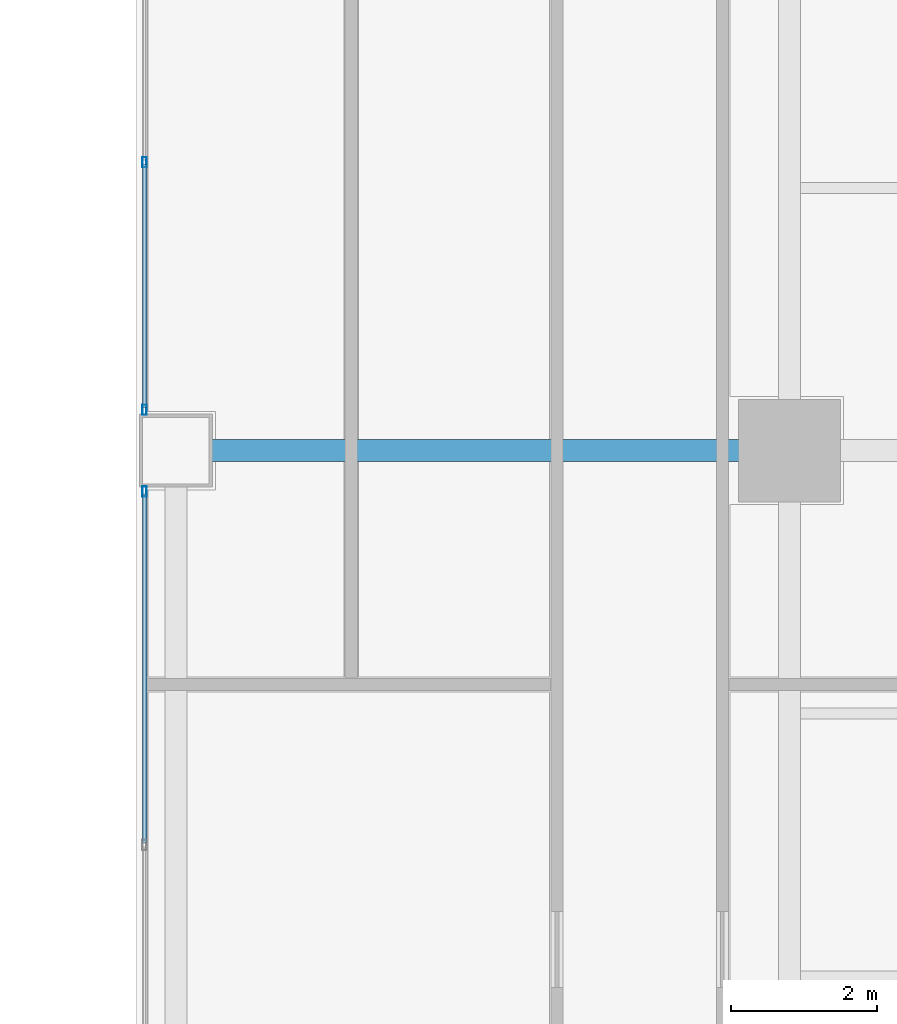
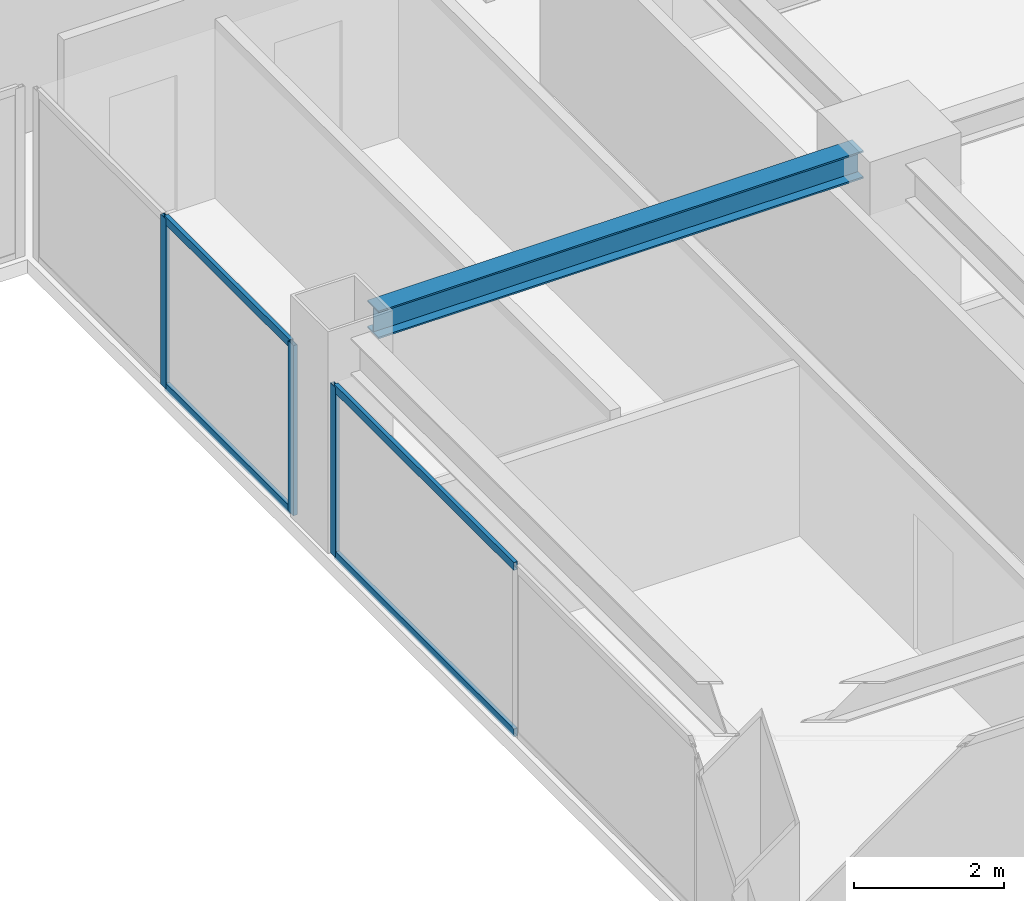
# One storey, part 14 of 29: 7 members, 1 beam, 2 elements without a shape of their own.
"""IFC4 building model written with IfcOpenShell, lengths in metres."""

from ifc_helpers import new_model, si_unit, direction, frame, origin, origin_2d, place, context, subcontext, project, spatial, hollow_rectangle, i_section, extrude, source, transform, mapped, material, layer, layer_set, material_profile, profile_set, type_object, element, aggregate, save


model = new_model("IFC4")

# Units and contexts
model_context = context("Model", 3, precision=1e-05, world=origin(), true_north=direction((0.0, 1.0)))
body_context = subcontext(model_context, "Body", "Model", "MODEL_VIEW")
ifc_project = project(units=[si_unit("LENGTHUNIT", "METRE"), si_unit("AREAUNIT", "SQUARE_METRE"), si_unit("VOLUMEUNIT", "CUBIC_METRE"), si_unit("PLANEANGLEUNIT", "RADIAN"), si_unit("MASSUNIT", "GRAM", prefix="KILO")], contexts=[model_context])

# Site, building, storey
site_placement = place(None, origin())
site = spatial("IfcSite", under=ifc_project, at=site_placement, CompositionType="ELEMENT")
building_placement = place(site_placement, origin())
building = spatial("IfcBuilding", under=site, at=building_placement, Name="Sumidabori Civic Tower", CompositionType="ELEMENT")
storey_placement = place(building_placement, frame((0.0, 0.0, 218.0)))
storey = spatial("IfcBuildingStorey", under=building, at=storey_placement, Name="L56", CompositionType="ELEMENT", Elevation=218.0)

# Beam
ifc_material_1 = material(Name="Steel SN490", Category="steel")
ifc_material_profile_1 = material_profile(ifc_material_1, i_section(OverallWidth=0.300048828125, OverallDepth=0.449951171875, WebThickness=0.013916015625, FlangeThickness=0.02587890625, at=origin_2d()), Name="HE 450 B")
ifc_profile_set_1 = profile_set([ifc_material_profile_1], Name="Steel SN490")
beam_type = type_object("IfcBeamType", Name="BM-GIRD-450", PredefinedType="BEAM", material=ifc_profile_set_1)
shared_shape_1 = source(origin(), body_context, "Body", "SweptSolid", [
    extrude(i_section(OverallWidth=0.300048828125, OverallDepth=0.449951171875, WebThickness=0.013916015625, FlangeThickness=0.02587890625, at=origin_2d()), origin(), (0.0, 0.0, 1.0), 7.440185546875),
])
beam_placement = place(storey_placement, frame((8.8798828125, 0.0, 3.155029296875), z_axis=(1.0, 0.0, 0.0), x_axis=(0.0, 1.0, 0.0)))
element("IfcBeam", 1, at=beam_placement, inside=storey, type_object=beam_type, Name="Primary Girder L56 GX-07", PredefinedType="BEAM", context=body_context, shape_type="MappedRepresentation", body=[
    mapped(shared_shape_1, transform((0.0, 0.0, 0.0), x_axis=(1.0, 0.0, 0.0), y_axis=(0.0, 1.0, 0.0), z_axis=(0.0, 0.0, 1.0), scale=1.0)),
])

# Curtain wall, members
ifc_material_2 = material(Name="Anodised Bronze Aluminium AW-6063-T6", Category="aluminium")
ifc_layer = layer(ifc_material_2, 0.179931640625, Name="Anodised Bronze Aluminium AW-6063-T6")
ifc_layer_set = layer_set([ifc_layer], Name="Anodised Bronze Aluminium AW-6063-T6")
curtain_wall_type = type_object("IfcCurtainWallType", Name="CW-SYS-4", PredefinedType="NOTDEFINED", material=ifc_layer_set)
curtain_wall_1_placement = place(storey_placement, origin())
curtain_wall_1 = element("IfcCurtainWall", 2, at=curtain_wall_1_placement, inside=storey, type_object=curtain_wall_type, Name="Curtain Wall CW:L56:R06", PredefinedType="NOTDEFINED")
ifc_material_profile_2 = material_profile(ifc_material_2, hollow_rectangle(XDim=0.06005859375, YDim=0.139892578125, WallThickness=0.0048828125, at=origin_2d()), Name="ALU MULLION 140x60")
ifc_profile_set_2 = profile_set([ifc_material_profile_2], Name="Anodised Bronze Aluminium AW-6063-T6")
member_type_1 = type_object("IfcMemberType", Name="CW-MUL-140", PredefinedType="MULLION", material=ifc_profile_set_2)
shared_shape_2 = source(origin(), body_context, "Body", "SweptSolid", [
    extrude(hollow_rectangle(XDim=0.06005859375, YDim=0.139892578125, WallThickness=0.0048828125, at=origin_2d()), origin(), (0.0, 0.0, 1.0), 2.760009765625),
])
member_1_placement = place(storey_placement, frame((7.969970703125, 3.949951171875, 0.0), z_axis=(0.0, 0.0, 1.0), x_axis=(1.0, 0.0, 0.0)))
member_1 = element("IfcMember", 3, at=member_1_placement, type_object=member_type_1, Name="CW-4 mullion 2", PredefinedType="MULLION", context=body_context, shape_type="MappedRepresentation", body=[
    mapped(shared_shape_2, transform((0.0, 0.0, 0.0), x_axis=(1.0, 0.0, 0.0), y_axis=(0.0, 1.0, 0.0), z_axis=(0.0, 0.0, 1.0), scale=1.0)),
])
member_2_placement = place(storey_placement, frame((7.969970703125, 0.56005859375, 0.0), z_axis=(0.0, 0.0, 1.0), x_axis=(1.0, 0.0, 0.0)))
member_2 = element("IfcMember", 4, at=member_2_placement, type_object=member_type_1, Name="CW-4 mullion 3", PredefinedType="MULLION", context=body_context, shape_type="MappedRepresentation", body=[
    mapped(shared_shape_2, transform((0.0, 0.0, 0.0), x_axis=(1.0, 0.0, 0.0), y_axis=(0.0, 1.0, 0.0), z_axis=(0.0, 0.0, 1.0), scale=1.0)),
])

curtain_wall_2_placement = place(storey_placement, origin())
curtain_wall_2 = element("IfcCurtainWall", 5, at=curtain_wall_2_placement, inside=storey, type_object=curtain_wall_type, Name="Curtain Wall CW:L56:R07", PredefinedType="NOTDEFINED")
member_3_placement = place(storey_placement, frame((7.969970703125, -0.56005859375, 0.0), z_axis=(0.0, 0.0, 1.0), x_axis=(1.0, 0.0, 0.0)))
member_3 = element("IfcMember", 6, at=member_3_placement, type_object=member_type_1, Name="CW-4 mullion 1", PredefinedType="MULLION", context=body_context, shape_type="MappedRepresentation", body=[
    mapped(shared_shape_2, transform((0.0, 0.0, 0.0), x_axis=(1.0, 0.0, 0.0), y_axis=(0.0, 1.0, 0.0), z_axis=(0.0, 0.0, 1.0), scale=1.0)),
])
ifc_material_profile_3 = material_profile(ifc_material_2, hollow_rectangle(XDim=0.06005859375, YDim=0.1298828125, WallThickness=0.0048828125, at=origin_2d()), Name="ALU TRANSOM 130x60")
ifc_profile_set_3 = profile_set([ifc_material_profile_3], Name="Anodised Bronze Aluminium AW-6063-T6")
member_type_2 = type_object("IfcMemberType", Name="CW-TRN-130", PredefinedType="USERDEFINED", material=ifc_profile_set_3)
shared_shape_3 = source(origin(), body_context, "Body", "SweptSolid", [
    extrude(hollow_rectangle(XDim=0.06005859375, YDim=0.1298828125, WallThickness=0.0048828125, at=origin_2d()), origin(), (0.0, 0.0, 1.0), 4.780029296875),
])
member_4_placement = place(storey_placement, frame((7.969970703125, -0.590087890625, 0.030029296875), z_axis=(0.0, -1.0, 0.0), x_axis=(1.0, 0.0, 0.0)))
member_4 = element("IfcMember", 7, at=member_4_placement, type_object=member_type_2, Name="CW-4 transom 1.1", ObjectType="TRANSOM", PredefinedType="USERDEFINED", context=body_context, shape_type="MappedRepresentation", body=[
    mapped(shared_shape_3, transform((0.0, 0.0, 0.0), x_axis=(1.0, 0.0, 0.0), y_axis=(0.0, 1.0, 0.0), z_axis=(0.0, 0.0, 1.0), scale=1.0)),
])
member_5_placement = place(storey_placement, frame((7.969970703125, -0.590087890625, 2.72998046875), z_axis=(0.0, -1.0, 0.0), x_axis=(1.0, 0.0, 0.0)))
member_5 = element("IfcMember", 8, at=member_5_placement, type_object=member_type_2, Name="CW-4 transom 1.2", ObjectType="TRANSOM", PredefinedType="USERDEFINED", context=body_context, shape_type="MappedRepresentation", body=[
    mapped(shared_shape_3, transform((0.0, 0.0, 0.0), x_axis=(1.0, 0.0, 0.0), y_axis=(0.0, 1.0, 0.0), z_axis=(0.0, 0.0, 1.0), scale=1.0)),
])
aggregate(curtain_wall_2, [member_3, member_4, member_5])

# Member
shared_shape_4 = source(origin(), body_context, "Body", "SweptSolid", [
    extrude(hollow_rectangle(XDim=0.06005859375, YDim=0.1298828125, WallThickness=0.0048828125, at=origin_2d()), origin(), (0.0, 0.0, 1.0), 3.329833984375),
])
member_6_placement = place(storey_placement, frame((7.969970703125, 3.919921875, 0.030029296875), z_axis=(0.0, -1.0, 0.0), x_axis=(1.0, 0.0, 0.0)))
member_6 = element("IfcMember", 9, at=member_6_placement, type_object=member_type_2, Name="CW-4 transom 2.1", ObjectType="TRANSOM", PredefinedType="USERDEFINED", context=body_context, shape_type="MappedRepresentation", body=[
    mapped(shared_shape_4, transform((0.0, 0.0, 0.0), x_axis=(1.0, 0.0, 0.0), y_axis=(0.0, 1.0, 0.0), z_axis=(0.0, 0.0, 1.0), scale=1.0)),
])

member_7_placement = place(storey_placement, frame((7.969970703125, 3.919921875, 2.72998046875), z_axis=(0.0, -1.0, 0.0), x_axis=(1.0, 0.0, 0.0)))
member_7 = element("IfcMember", 10, at=member_7_placement, type_object=member_type_2, Name="CW-4 transom 2.2", ObjectType="TRANSOM", PredefinedType="USERDEFINED", context=body_context, shape_type="MappedRepresentation", body=[
    mapped(shared_shape_4, transform((0.0, 0.0, 0.0), x_axis=(1.0, 0.0, 0.0), y_axis=(0.0, 1.0, 0.0), z_axis=(0.0, 0.0, 1.0), scale=1.0)),
])

aggregate(curtain_wall_1, [member_1, member_2, member_6, member_7])

save(model, "model.ifc")
